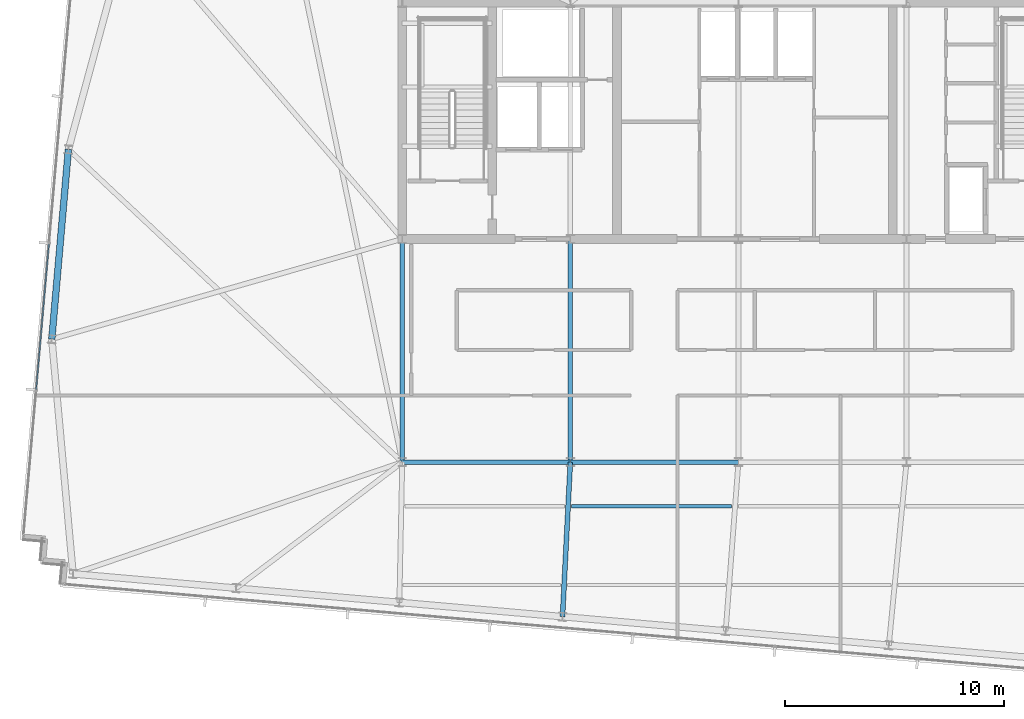
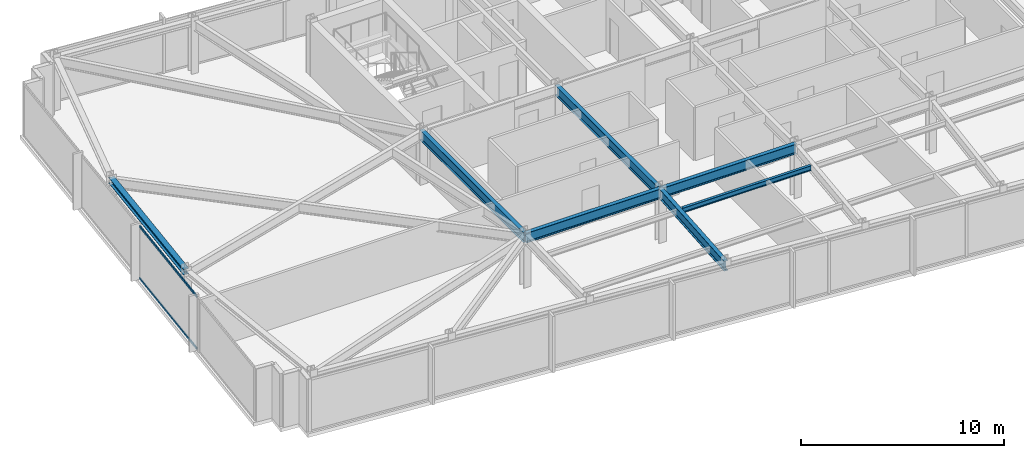
# One storey, part 8 of 32: 7 beams, 2 members, 1 element without a shape of its own.
"""IFC4 building model written with IfcOpenShell, lengths in metres."""

import ifcopenshell
import ifcopenshell.guid

model = None  # the IFC model being written
_history = None  # IfcOwnerHistory: only IFC2X3 demands one
_inside = {}  # id of a spatial element -> (the spatial element, [elements in it])
_under = {}  # id of a project, library or spatial element -> (it, [spatial elements below it])
_declared = {}  # id of a project -> (the project, [libraries it declares])
_typed = {}  # id of a type object -> (the type object, [elements of that type])
_made_of = {}  # id of a material, layer set ... -> (it, [elements and type objects made of it])


def new_model(schema):
    """Start an empty IFC model of exactly this schema.

    Asked for "IFC4X3", IfcOpenShell would pick the latest addendum, in which some entities
    have other attributes; the version numbers below select the first issue.
    IFC2X3 requires an IfcOwnerHistory on every rooted entity: one is made here for all.
    """
    global model, _history
    if schema == "IFC4X3":
        model = ifcopenshell.file(schema_version=(4, 3, 0, 0))
    else:
        model = ifcopenshell.file(schema=schema)
    _inside.clear()
    _under.clear()
    _declared.clear()
    _typed.clear()
    _made_of.clear()
    _history = None
    if model.schema == "IFC2X3":
        org = make("IfcOrganization", Name="unknown")
        user = make(
            "IfcPersonAndOrganization",
            ThePerson=make("IfcPerson", FamilyName="unknown"),
            TheOrganization=org,
        )
        app = make(
            "IfcApplication",
            ApplicationDeveloper=org,
            Version="unknown",
            ApplicationFullName="unknown",
            ApplicationIdentifier="unknown",
        )
        _history = make(
            "IfcOwnerHistory",
            OwningUser=user,
            OwningApplication=app,
            ChangeAction="ADDED",
            CreationDate=0,
        )
    return model


def make(cls, **values):
    """One entity of the class cls with the attributes given. An attribute that is None is left unset."""
    return model.create_entity(
        cls, **{name: value for name, value in values.items() if value is not None}
    )


def rooted(cls, **values):
    """An entity with a GlobalId (a new one), such as an element, a storey or a relation."""
    return make(cls, GlobalId=ifcopenshell.guid.new(), OwnerHistory=_history, **values)


def si_unit(unit_type, name, prefix=None):
    """IfcSIUnit, for example si_unit("LENGTHUNIT", "METRE", prefix="MILLI")."""
    return make("IfcSIUnit", UnitType=unit_type, Prefix=prefix, Name=name)


def assignment(units):
    """IfcUnitAssignment: the units of a project."""
    return None if units is None else make("IfcUnitAssignment", Units=units)


def point(xyz):
    """IfcCartesianPoint."""
    return None if xyz is None else make("IfcCartesianPoint", Coordinates=xyz)


def direction(xyz):
    """IfcDirection."""
    return None if xyz is None else make("IfcDirection", DirectionRatios=xyz)


def frame(location, z_axis=None, x_axis=None):
    """IfcAxis2Placement3D, a coordinate frame: its origin and axes. An axis left out is left unset."""
    return make(
        "IfcAxis2Placement3D",
        Location=point(location),
        Axis=direction(z_axis),
        RefDirection=direction(x_axis),
    )


def frame_2d(location, x_axis=None):
    """IfcAxis2Placement2D, a coordinate frame in the plane: its origin and x axis."""
    return make(
        "IfcAxis2Placement2D", Location=point(location), RefDirection=direction(x_axis)
    )


def origin():
    """The frame at (0, 0, 0) with its axes left unset."""
    return frame((0.0, 0.0, 0.0))


def origin_2d():
    """The frame at (0, 0) in the plane with its x axis left unset."""
    return frame_2d((0.0, 0.0))


def place(relative_to, where):
    """IfcLocalPlacement: puts the frame where relative to a parent placement (None: the world)."""
    return make(
        "IfcLocalPlacement", PlacementRelTo=relative_to, RelativePlacement=where
    )


def context(
    kind, dimensions, precision=None, world=None, true_north=None, identifier=None
):
    """IfcGeometricRepresentationContext, for example the 3D "Model" context."""
    return make(
        "IfcGeometricRepresentationContext",
        ContextIdentifier=identifier,
        ContextType=kind,
        CoordinateSpaceDimension=dimensions,
        Precision=precision,
        WorldCoordinateSystem=world,
        TrueNorth=true_north,
    )


def subcontext(parent, identifier, kind, view, scale=None):
    """IfcGeometricRepresentationSubContext, for example "Body" below "Model"."""
    return make(
        "IfcGeometricRepresentationSubContext",
        ContextIdentifier=identifier,
        ContextType=kind,
        ParentContext=parent,
        TargetScale=scale,
        TargetView=view,
    )


def project(units=None, contexts=None):
    """IfcProject with its units and contexts."""
    return rooted(
        "IfcProject",
        Name="project",
        RepresentationContexts=contexts,
        UnitsInContext=assignment(units),
    )


def spatial(cls, under=None, at=None, **own):
    """A site, building, storey or space (cls), placed at a placement, below another one or the project."""
    s = rooted(cls, ObjectPlacement=at, **own)
    if under is not None:
        _under.setdefault(under.id(), (under, []))[1].append(s)
    return s


def profile(cls, at=None, kind="AREA", **sizes):
    """A parametric profile (cls). Its sizes go by their IFC names, for example OverallWidth=200.0."""
    return make(cls, ProfileType=kind, Position=at, **sizes)


def hollow_rectangle(**sizes):
    """IfcRectangleHollowProfileDef."""
    return profile("IfcRectangleHollowProfileDef", **sizes)


def i_section(**sizes):
    """IfcIShapeProfileDef."""
    return profile("IfcIShapeProfileDef", **sizes)


def extrude(swept, where, along, depth):
    """IfcExtrudedAreaSolid: the profile swept, set in the frame where, extruded along a direction by depth."""
    return make(
        "IfcExtrudedAreaSolid",
        SweptArea=swept,
        Position=where,
        ExtrudedDirection=direction(along),
        Depth=depth,
    )


def shape(context_of_items, identifier, shape_type, items):
    """IfcShapeRepresentation: the items that make up one representation, for example the "Body"."""
    return make(
        "IfcShapeRepresentation",
        ContextOfItems=context_of_items,
        RepresentationIdentifier=identifier,
        RepresentationType=shape_type,
        Items=items,
    )


def material(Name=None, Category=None):
    """IfcMaterial."""
    return make("IfcMaterial", Name=Name, Category=Category)


def material_profile(
    of_material, cross_section, Name=None, Category=None, Priority=None
):
    """IfcMaterialProfile: a cross section and its material."""
    return make(
        "IfcMaterialProfile",
        Name=Name,
        Material=of_material,
        Profile=cross_section,
        Priority=Priority,
        Category=Category,
    )


def profile_set(profiles, Name=None, composite=None):
    """IfcMaterialProfileSet."""
    return make(
        "IfcMaterialProfileSet",
        Name=Name,
        MaterialProfiles=profiles,
        CompositeProfile=composite,
    )


def made_of(thing, what):
    """Note that an element or type object is made of a material, layer set ...; save() writes the relation."""
    if what is not None:
        _made_of.setdefault(what.id(), (what, []))[1].append(thing)
    return thing


def type_object(cls, material=None, **own):
    """A type object (cls), such as IfcWallType, which elements share."""
    return made_of(rooted(cls, **own), material)


def element(
    cls,
    number,
    at=None,
    inside=None,
    cuts=None,
    type_object=None,
    material=None,
    context=None,
    identifier="Body",
    shape_type=None,
    held_by="IfcProductDefinitionShape",
    body=None,
    shapes=None,
    **own,
):
    """One element of the class cls, such as IfcWall. Its Tag is "e" and its number.

    at: its placement. inside: the storey or other place that contains it. cuts: it is an
    opening in that element (IfcRelVoidsElement). A single representation is given by context,
    identifier, shape_type and body (its items); several are given by shapes. held_by: the class
    of the entity that holds the representations. save() writes the other relations.
    """
    e = rooted(cls, Tag="e%d" % number, ObjectPlacement=at, **own)
    if body is not None:
        shapes = [shape(context, identifier, shape_type, body)]
    if shapes is not None:
        e.Representation = make(held_by, Representations=shapes)
    if inside is not None:
        _inside.setdefault(inside.id(), (inside, []))[1].append(e)
    if cuts is not None:
        rooted(
            "IfcRelVoidsElement", RelatingBuildingElement=cuts, RelatedOpeningElement=e
        )
    if type_object is not None:
        _typed.setdefault(type_object.id(), (type_object, []))[1].append(e)
    return made_of(e, material)


def aggregate(whole, parts):
    """IfcRelAggregates: a whole, such as a stair, and the parts it consists of."""
    return rooted("IfcRelAggregates", RelatingObject=whole, RelatedObjects=parts)


def save(model, path):
    """Write the relations noted so far, then the file.

    IfcRelAggregates (storeys below a building ...), IfcRelContainedInSpatialStructure (elements
    in a storey), IfcRelDefinesByType, IfcRelAssociatesMaterial and IfcRelDeclares: one each for
    every whole, place, type object, material and project.
    """
    for whole, parts in _under.values():
        aggregate(whole, parts)
    for where, things in _inside.values():
        rooted(
            "IfcRelContainedInSpatialStructure",
            RelatedElements=things,
            RelatingStructure=where,
        )
    for kind, things in _typed.values():
        rooted("IfcRelDefinesByType", RelatedObjects=things, RelatingType=kind)
    for what, things in _made_of.values():
        rooted("IfcRelAssociatesMaterial", RelatedObjects=things, RelatingMaterial=what)
    for by, libraries in _declared.values():
        rooted("IfcRelDeclares", RelatingContext=by, RelatedDefinitions=libraries)
    model.write(path)


model = new_model("IFC4")

# Units and contexts
model_context = context("Model", 3, precision=1e-05, world=origin(), true_north=direction((0.0, 1.0)))
body_context = subcontext(model_context, "Body", "Model", "MODEL_VIEW")
ifc_project = project(units=[si_unit("LENGTHUNIT", "METRE"), si_unit("AREAUNIT", "SQUARE_METRE"), si_unit("VOLUMEUNIT", "CUBIC_METRE"), si_unit("PLANEANGLEUNIT", "RADIAN"), si_unit("MASSUNIT", "GRAM", prefix="KILO")], contexts=[model_context])

# Site, building, storey
site_placement = place(None, origin())
site = spatial("IfcSite", under=ifc_project, at=site_placement, CompositionType="ELEMENT")
building_placement = place(site_placement, origin())
building = spatial("IfcBuilding", under=site, at=building_placement, Name="Yelkora Congress Tower", CompositionType="ELEMENT")
storey_placement = place(building_placement, frame((0.0, 0.0, 272.699951171875)))
storey = spatial("IfcBuildingStorey", under=building, at=storey_placement, Name="L76", CompositionType="ELEMENT", Elevation=272.699951171875)

# Beams
ifc_material_1 = material(Name="Steel S355J2", Category="steel")
ifc_material_profile_1 = material_profile(ifc_material_1, i_section(OverallWidth=0.219970703125, OverallDepth=0.60009765625, WebThickness=0.011962890625, FlangeThickness=0.01904296875, FilletRadius=0.02392578125, at=origin_2d()), Name="IPE 600")
ifc_profile_set_1 = profile_set([ifc_material_profile_1], Name="Steel S355J2")
beam_type_1 = type_object("IfcBeamType", Name="BM-GIRD-IPE600", PredefinedType="BEAM", material=ifc_profile_set_1)
for number, where, z_axis, x_axis, name in (
    (1, (23.0400390625, 25.199951171875, 2.880126953125), (1.0, 0.0, 0.0), (0.0, 1.0, 0.0), "L76 Spine Grid D Girder 1"),
    (2, (30.719970703125, 25.199951171875, 2.880126953125), (1.0, 0.0, 0.0), (0.0, 1.0, 0.0), "L76 Spine Grid D Girder 2"),
):
    element("IfcBeam", number, at=place(storey_placement, frame(where, z_axis=z_axis, x_axis=x_axis)), inside=storey, type_object=beam_type_1, Name=name, PredefinedType="BEAM", context=body_context, shape_type="SweptSolid", body=[
        extrude(i_section(OverallWidth=0.219970703125, OverallDepth=0.60009765625, WebThickness=0.011962890625, FlangeThickness=0.01904296875, FilletRadius=0.02392578125, at=origin_2d()), origin(), (0.0, 0.0, 1.0), 7.679931640625),
    ])
for number, where, z_axis, x_axis, name in (
    (3, (23.0400390625, 25.199951171875, 2.880126953125), (0.0, 1.0, 0.0), (-1.0, 0.0, 0.0), "L76 Core Tie Girder MC-D1"),
    (4, (30.719970703125, 25.199951171875, 2.880126953125), (0.0, 1.0, 0.0), (-1.0, 0.0, 0.0), "L76 Core Tie Girder MC-D2"),
):
    element("IfcBeam", number, at=place(storey_placement, frame(where, z_axis=z_axis, x_axis=x_axis)), inside=storey, type_object=beam_type_1, Name=name, PredefinedType="BEAM", context=body_context, shape_type="SweptSolid", body=[
        extrude(i_section(OverallWidth=0.219970703125, OverallDepth=0.60009765625, WebThickness=0.011962890625, FlangeThickness=0.01904296875, FilletRadius=0.02392578125, at=origin_2d()), origin(), (0.0, 0.0, 1.0), 10.199951171875),
    ])
beam_1_placement = place(storey_placement, frame((30.362548828125, 18.14111328125, 2.880126953125), z_axis=(0.050569876836, 0.998720525251, 0.0), x_axis=(-0.998720525251, 0.050569876836, 0.0)))
element("IfcBeam", 5, at=beam_1_placement, inside=storey, type_object=beam_type_1, Name="L76 Primary Frame Girder S04", PredefinedType="BEAM", context=body_context, shape_type="SweptSolid", body=[
    extrude(i_section(OverallWidth=0.219970703125, OverallDepth=0.60009765625, WebThickness=0.011962890625, FlangeThickness=0.01904296875, FilletRadius=0.02392578125, at=origin_2d()), origin(), (0.0, 0.0, 1.0), 7.06787109375),
])
ifc_material_profile_2 = material_profile(ifc_material_1, i_section(OverallWidth=0.14990234375, OverallDepth=0.300048828125, WebThickness=0.007080078125, FlangeThickness=0.0107421875, FilletRadius=0.014892578125, at=origin_2d()), Name="IPE 300")
ifc_profile_set_2 = profile_set([ifc_material_profile_2], Name="Steel S355J2")
beam_type_2 = type_object("IfcBeamType", Name="BM-JOIST-IPE300", PredefinedType="JOIST", material=ifc_profile_set_2)
beam_2_placement = place(storey_placement, frame((30.778076171875, 23.1845703125, 3.030029296875), z_axis=(1.0, 0.0, 0.0), x_axis=(0.0, 1.0, 0.0)))
element("IfcBeam", 6, at=beam_2_placement, inside=storey, type_object=beam_type_2, Name="L76 Composite Floor Joist 6", PredefinedType="JOIST", context=body_context, shape_type="SweptSolid", body=[
    extrude(i_section(OverallWidth=0.14990234375, OverallDepth=0.300048828125, WebThickness=0.007080078125, FlangeThickness=0.0107421875, FilletRadius=0.014892578125, at=origin_2d()), origin(), (0.0, 0.0, 1.0), 7.3095703125),
])
ifc_material_profile_3 = material_profile(ifc_material_1, i_section(OverallWidth=0.300048828125, OverallDepth=0.340087890625, WebThickness=0.011962890625, FlangeThickness=0.021484375, FilletRadius=0.027099609375, at=origin_2d()), Name="HEB 340")
ifc_profile_set_3 = profile_set([ifc_material_profile_3], Name="Steel S355J2")
beam_type_3 = type_object("IfcBeamType", Name="BM-SPAN-HEB340", PredefinedType="SPANDREL", material=ifc_profile_set_3)
beam_3_placement = place(storey_placement, frame((7.787353515625, 39.489990234375, 3.010009765625), z_axis=(-0.08715998813, -0.99619432666, 0.0), x_axis=(0.99619432666, -0.08715998813, 0.0)))
element("IfcBeam", 7, at=beam_3_placement, inside=storey, type_object=beam_type_3, Name="L76 Perimeter Beam 14", PredefinedType="SPANDREL", context=body_context, shape_type="SweptSolid", body=[
    extrude(i_section(OverallWidth=0.300048828125, OverallDepth=0.340087890625, WebThickness=0.011962890625, FlangeThickness=0.021484375, FilletRadius=0.027099609375, at=origin_2d()), origin(), (0.0, 0.0, 1.0), 8.7001953125),
])

# Curtain wall, members
ifc_material_2 = material(Name="Anodised aluminium and insulated glass", Category="aluminium")
curtain_wall_type = type_object("IfcCurtainWallType", Name="CW-SYS-B5", PredefinedType="NOTDEFINED", material=ifc_material_2)
curtain_wall_placement = place(storey_placement, origin())
curtain_wall = element("IfcCurtainWall", 8, at=curtain_wall_placement, inside=storey, type_object=curtain_wall_type, Name="L76 Unitised Curtain Wall 5", PredefinedType="NOTDEFINED")
ifc_material_3 = material(Name="Anodised aluminium 6063-T6", Category="aluminium")
ifc_material_profile_4 = material_profile(ifc_material_3, hollow_rectangle(XDim=0.06005859375, YDim=0.1298828125, WallThickness=0.00390625, at=origin_2d()), Name="ALU 60x130x4")
ifc_profile_set_4 = profile_set([ifc_material_profile_4], Name="Anodised aluminium 6063-T6")
member_type = type_object("IfcMemberType", Name="MEM-TR-B5", PredefinedType="USERDEFINED", material=ifc_profile_set_4)
member_1_placement = place(storey_placement, frame((6.31640625, 28.529052734375, 0.030029296875), z_axis=(0.087182854761, 0.996192325726, 0.0), x_axis=(-0.996192325726, 0.087182854761, 0.0)))
member_1 = element("IfcMember", 9, at=member_1_placement, type_object=member_type, Name="CW-B5 transom 2.1", ObjectType="TRANSOM", PredefinedType="USERDEFINED", context=body_context, shape_type="SweptSolid", body=[
    extrude(hollow_rectangle(XDim=0.06005859375, YDim=0.1298828125, WallThickness=0.00390625, at=origin_2d()), origin(), (0.0, 0.0, 1.0), 6.664794921875),
])
member_2_placement = place(storey_placement, frame((6.31640625, 28.529052734375, 3.150146484375), z_axis=(0.087182854761, 0.996192325726, 0.0), x_axis=(-0.996192325726, 0.087182854761, 0.0)))
member_2 = element("IfcMember", 10, at=member_2_placement, type_object=member_type, Name="CW-B5 transom 2.2", ObjectType="TRANSOM", PredefinedType="USERDEFINED", context=body_context, shape_type="SweptSolid", body=[
    extrude(hollow_rectangle(XDim=0.06005859375, YDim=0.1298828125, WallThickness=0.00390625, at=origin_2d()), origin(), (0.0, 0.0, 1.0), 6.664794921875),
])
aggregate(curtain_wall, [member_1, member_2])

save(model, "model.ifc")
